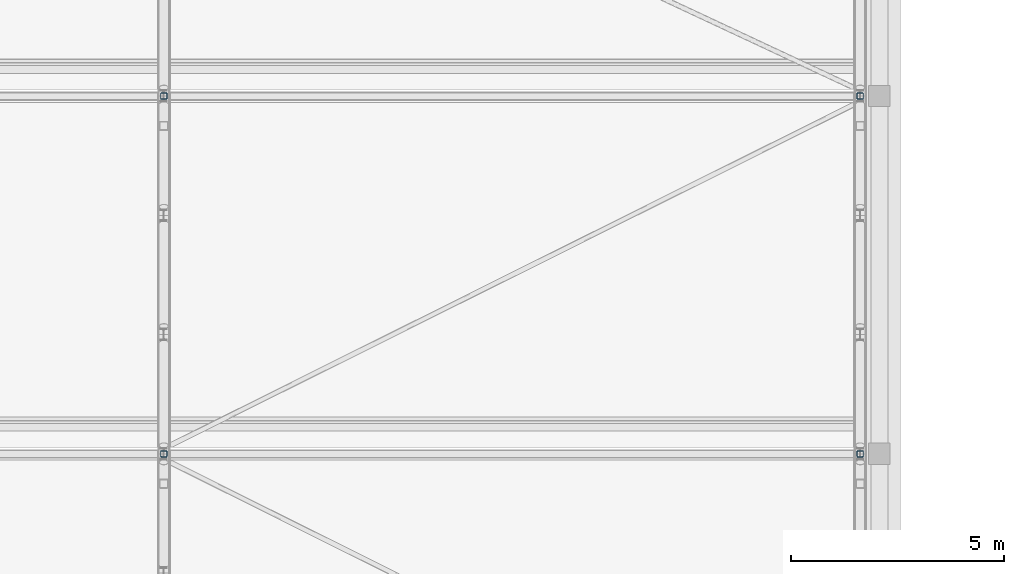
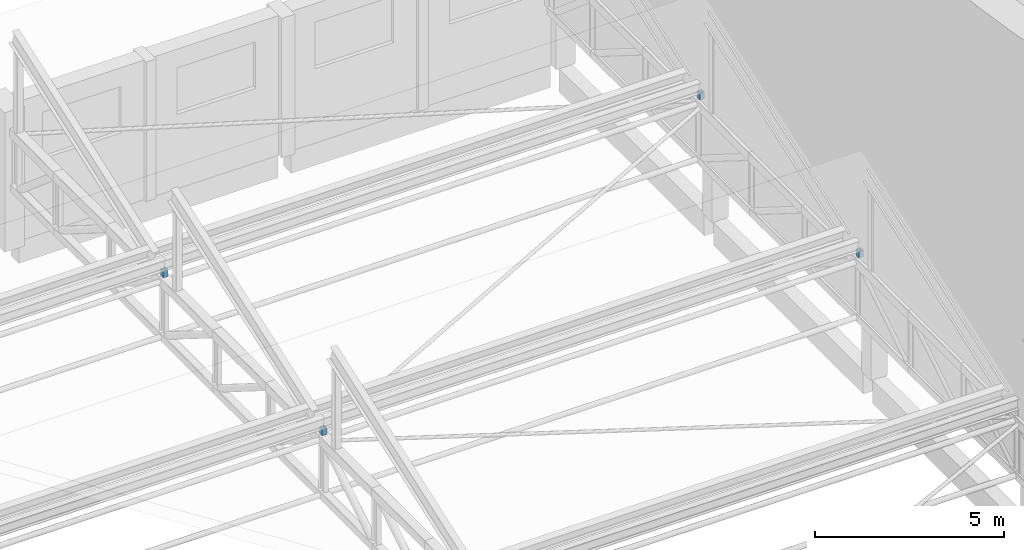
# One storey, part 61 of 101: 4 members.
"""IFC4 building model written with IfcOpenShell, lengths in metres."""

import ifcopenshell
import ifcopenshell.guid

model = None  # the IFC model being written
_history = None  # IfcOwnerHistory: only IFC2X3 demands one
_inside = {}  # id of a spatial element -> (the spatial element, [elements in it])
_under = {}  # id of a project, library or spatial element -> (it, [spatial elements below it])
_declared = {}  # id of a project -> (the project, [libraries it declares])
_typed = {}  # id of a type object -> (the type object, [elements of that type])
_made_of = {}  # id of a material, layer set ... -> (it, [elements and type objects made of it])


def new_model(schema):
    """Start an empty IFC model of exactly this schema.

    Asked for "IFC4X3", IfcOpenShell would pick the latest addendum, in which some entities
    have other attributes; the version numbers below select the first issue.
    IFC2X3 requires an IfcOwnerHistory on every rooted entity: one is made here for all.
    """
    global model, _history
    if schema == "IFC4X3":
        model = ifcopenshell.file(schema_version=(4, 3, 0, 0))
    else:
        model = ifcopenshell.file(schema=schema)
    _inside.clear()
    _under.clear()
    _declared.clear()
    _typed.clear()
    _made_of.clear()
    _history = None
    if model.schema == "IFC2X3":
        org = make("IfcOrganization", Name="unknown")
        user = make(
            "IfcPersonAndOrganization",
            ThePerson=make("IfcPerson", FamilyName="unknown"),
            TheOrganization=org,
        )
        app = make(
            "IfcApplication",
            ApplicationDeveloper=org,
            Version="unknown",
            ApplicationFullName="unknown",
            ApplicationIdentifier="unknown",
        )
        _history = make(
            "IfcOwnerHistory",
            OwningUser=user,
            OwningApplication=app,
            ChangeAction="ADDED",
            CreationDate=0,
        )
    return model


def make(cls, **values):
    """One entity of the class cls with the attributes given. An attribute that is None is left unset."""
    return model.create_entity(
        cls, **{name: value for name, value in values.items() if value is not None}
    )


def rooted(cls, **values):
    """An entity with a GlobalId (a new one), such as an element, a storey or a relation."""
    return make(cls, GlobalId=ifcopenshell.guid.new(), OwnerHistory=_history, **values)


def si_unit(unit_type, name, prefix=None):
    """IfcSIUnit, for example si_unit("LENGTHUNIT", "METRE", prefix="MILLI")."""
    return make("IfcSIUnit", UnitType=unit_type, Prefix=prefix, Name=name)


def assignment(units):
    """IfcUnitAssignment: the units of a project."""
    return None if units is None else make("IfcUnitAssignment", Units=units)


def point(xyz):
    """IfcCartesianPoint."""
    return None if xyz is None else make("IfcCartesianPoint", Coordinates=xyz)


def direction(xyz):
    """IfcDirection."""
    return None if xyz is None else make("IfcDirection", DirectionRatios=xyz)


def frame(location, z_axis=None, x_axis=None):
    """IfcAxis2Placement3D, a coordinate frame: its origin and axes. An axis left out is left unset."""
    return make(
        "IfcAxis2Placement3D",
        Location=point(location),
        Axis=direction(z_axis),
        RefDirection=direction(x_axis),
    )


def frame_2d(location, x_axis=None):
    """IfcAxis2Placement2D, a coordinate frame in the plane: its origin and x axis."""
    return make(
        "IfcAxis2Placement2D", Location=point(location), RefDirection=direction(x_axis)
    )


def origin():
    """The frame at (0, 0, 0) with its axes left unset."""
    return frame((0.0, 0.0, 0.0))


def origin_2d():
    """The frame at (0, 0) in the plane with its x axis left unset."""
    return frame_2d((0.0, 0.0))


def place(relative_to, where):
    """IfcLocalPlacement: puts the frame where relative to a parent placement (None: the world)."""
    return make(
        "IfcLocalPlacement", PlacementRelTo=relative_to, RelativePlacement=where
    )


def context(
    kind, dimensions, precision=None, world=None, true_north=None, identifier=None
):
    """IfcGeometricRepresentationContext, for example the 3D "Model" context."""
    return make(
        "IfcGeometricRepresentationContext",
        ContextIdentifier=identifier,
        ContextType=kind,
        CoordinateSpaceDimension=dimensions,
        Precision=precision,
        WorldCoordinateSystem=world,
        TrueNorth=true_north,
    )


def subcontext(parent, identifier, kind, view, scale=None):
    """IfcGeometricRepresentationSubContext, for example "Body" below "Model"."""
    return make(
        "IfcGeometricRepresentationSubContext",
        ContextIdentifier=identifier,
        ContextType=kind,
        ParentContext=parent,
        TargetScale=scale,
        TargetView=view,
    )


def project(units=None, contexts=None):
    """IfcProject with its units and contexts."""
    return rooted(
        "IfcProject",
        Name="project",
        RepresentationContexts=contexts,
        UnitsInContext=assignment(units),
    )


def spatial(cls, under=None, at=None, **own):
    """A site, building, storey or space (cls), placed at a placement, below another one or the project."""
    s = rooted(cls, ObjectPlacement=at, **own)
    if under is not None:
        _under.setdefault(under.id(), (under, []))[1].append(s)
    return s


def profile(cls, at=None, kind="AREA", **sizes):
    """A parametric profile (cls). Its sizes go by their IFC names, for example OverallWidth=200.0."""
    return make(cls, ProfileType=kind, Position=at, **sizes)


def hollow_rectangle(**sizes):
    """IfcRectangleHollowProfileDef."""
    return profile("IfcRectangleHollowProfileDef", **sizes)


def extrude(swept, where, along, depth):
    """IfcExtrudedAreaSolid: the profile swept, set in the frame where, extruded along a direction by depth."""
    return make(
        "IfcExtrudedAreaSolid",
        SweptArea=swept,
        Position=where,
        ExtrudedDirection=direction(along),
        Depth=depth,
    )


def shape(context_of_items, identifier, shape_type, items):
    """IfcShapeRepresentation: the items that make up one representation, for example the "Body"."""
    return make(
        "IfcShapeRepresentation",
        ContextOfItems=context_of_items,
        RepresentationIdentifier=identifier,
        RepresentationType=shape_type,
        Items=items,
    )


def material(Name=None, Category=None):
    """IfcMaterial."""
    return make("IfcMaterial", Name=Name, Category=Category)


def material_profile(
    of_material, cross_section, Name=None, Category=None, Priority=None
):
    """IfcMaterialProfile: a cross section and its material."""
    return make(
        "IfcMaterialProfile",
        Name=Name,
        Material=of_material,
        Profile=cross_section,
        Priority=Priority,
        Category=Category,
    )


def profile_set(profiles, Name=None, composite=None):
    """IfcMaterialProfileSet."""
    return make(
        "IfcMaterialProfileSet",
        Name=Name,
        MaterialProfiles=profiles,
        CompositeProfile=composite,
    )


def made_of(thing, what):
    """Note that an element or type object is made of a material, layer set ...; save() writes the relation."""
    if what is not None:
        _made_of.setdefault(what.id(), (what, []))[1].append(thing)
    return thing


def type_object(cls, material=None, **own):
    """A type object (cls), such as IfcWallType, which elements share."""
    return made_of(rooted(cls, **own), material)


def element(
    cls,
    number,
    at=None,
    inside=None,
    cuts=None,
    type_object=None,
    material=None,
    context=None,
    identifier="Body",
    shape_type=None,
    held_by="IfcProductDefinitionShape",
    body=None,
    shapes=None,
    **own,
):
    """One element of the class cls, such as IfcWall. Its Tag is "e" and its number.

    at: its placement. inside: the storey or other place that contains it. cuts: it is an
    opening in that element (IfcRelVoidsElement). A single representation is given by context,
    identifier, shape_type and body (its items); several are given by shapes. held_by: the class
    of the entity that holds the representations. save() writes the other relations.
    """
    e = rooted(cls, Tag="e%d" % number, ObjectPlacement=at, **own)
    if body is not None:
        shapes = [shape(context, identifier, shape_type, body)]
    if shapes is not None:
        e.Representation = make(held_by, Representations=shapes)
    if inside is not None:
        _inside.setdefault(inside.id(), (inside, []))[1].append(e)
    if cuts is not None:
        rooted(
            "IfcRelVoidsElement", RelatingBuildingElement=cuts, RelatedOpeningElement=e
        )
    if type_object is not None:
        _typed.setdefault(type_object.id(), (type_object, []))[1].append(e)
    return made_of(e, material)


def aggregate(whole, parts):
    """IfcRelAggregates: a whole, such as a stair, and the parts it consists of."""
    return rooted("IfcRelAggregates", RelatingObject=whole, RelatedObjects=parts)


def save(model, path):
    """Write the relations noted so far, then the file.

    IfcRelAggregates (storeys below a building ...), IfcRelContainedInSpatialStructure (elements
    in a storey), IfcRelDefinesByType, IfcRelAssociatesMaterial and IfcRelDeclares: one each for
    every whole, place, type object, material and project.
    """
    for whole, parts in _under.values():
        aggregate(whole, parts)
    for where, things in _inside.values():
        rooted(
            "IfcRelContainedInSpatialStructure",
            RelatedElements=things,
            RelatingStructure=where,
        )
    for kind, things in _typed.values():
        rooted("IfcRelDefinesByType", RelatedObjects=things, RelatingType=kind)
    for what, things in _made_of.values():
        rooted("IfcRelAssociatesMaterial", RelatedObjects=things, RelatingMaterial=what)
    for by, libraries in _declared.values():
        rooted("IfcRelDeclares", RelatingContext=by, RelatedDefinitions=libraries)
    model.write(path)


model = new_model("IFC4")

# Units and contexts
model_context = context("Model", 3, precision=1e-05, world=origin(), true_north=direction((0.0, 1.0)))
body_context = subcontext(model_context, "Body", "Model", "MODEL_VIEW")
ifc_project = project(units=[si_unit("LENGTHUNIT", "METRE"), si_unit("AREAUNIT", "SQUARE_METRE"), si_unit("VOLUMEUNIT", "CUBIC_METRE"), si_unit("PLANEANGLEUNIT", "RADIAN"), si_unit("MASSUNIT", "GRAM", prefix="KILO")], contexts=[model_context])

# Site, building, storey
site_placement = place(None, origin())
site = spatial("IfcSite", under=ifc_project, at=site_placement, CompositionType="ELEMENT")
building_placement = place(site_placement, origin())
building = spatial("IfcBuilding", under=site, at=building_placement, Name="Fescue Hill Polytechnic", CompositionType="ELEMENT")
storey_placement = place(building_placement, frame((0.0, 0.0, 9.0)))
storey = spatial("IfcBuildingStorey", under=building, at=storey_placement, Name="L02", CompositionType="ELEMENT", Elevation=9.0)

# Members
ifc_material = material(Name="Steel 350W (350 MPa)", Category="steel")
ifc_material_profile = material_profile(ifc_material, hollow_rectangle(XDim=0.15234375, YDim=0.15234375, WallThickness=0.009521484375, InnerFilletRadius=0.009521484375, OuterFilletRadius=0.01904296875, at=origin_2d()), Name="Valley bearing post HSS 152x152x9.5")
ifc_profile_set = profile_set([ifc_material_profile], Name="Steel 350W (350 MPa)")
member_type = type_object("IfcMemberType", Name="Valley bearing post HSS 152x152x9.5", PredefinedType="POST", material=ifc_profile_set)
for number, where, z_axis, x_axis, name in (
    (1, (100.800048828125, 33.60009765625, 3.93603515625), (0.0, 0.0, 1.0), (1.0, 0.0, 0.0), "Valley 3 bearing post on TR7"),
    (2, (100.800048828125, 42.0, 3.93603515625), (0.0, 0.0, 1.0), (1.0, 0.0, 0.0), "Valley 4 bearing post on TR7"),
    (3, (117.14990234375, 33.60009765625, 3.93603515625), (0.0, 0.0, 1.0), (1.0, 0.0, 0.0), "Valley 3 bearing post on TR8"),
    (4, (117.14990234375, 42.0, 3.93603515625), (0.0, 0.0, 1.0), (1.0, 0.0, 0.0), "Valley 4 bearing post on TR8"),
):
    element("IfcMember", number, at=place(storey_placement, frame(where, z_axis=z_axis, x_axis=x_axis)), inside=storey, type_object=member_type, Name=name, PredefinedType="POST", context=body_context, shape_type="SweptSolid", body=[
        extrude(hollow_rectangle(XDim=0.15234375, YDim=0.15234375, WallThickness=0.009521484375, InnerFilletRadius=0.009521484375, OuterFilletRadius=0.01904296875, at=origin_2d()), origin(), (0.0, 0.0, 1.0), 0.2138671875),
    ])

save(model, "model.ifc")
